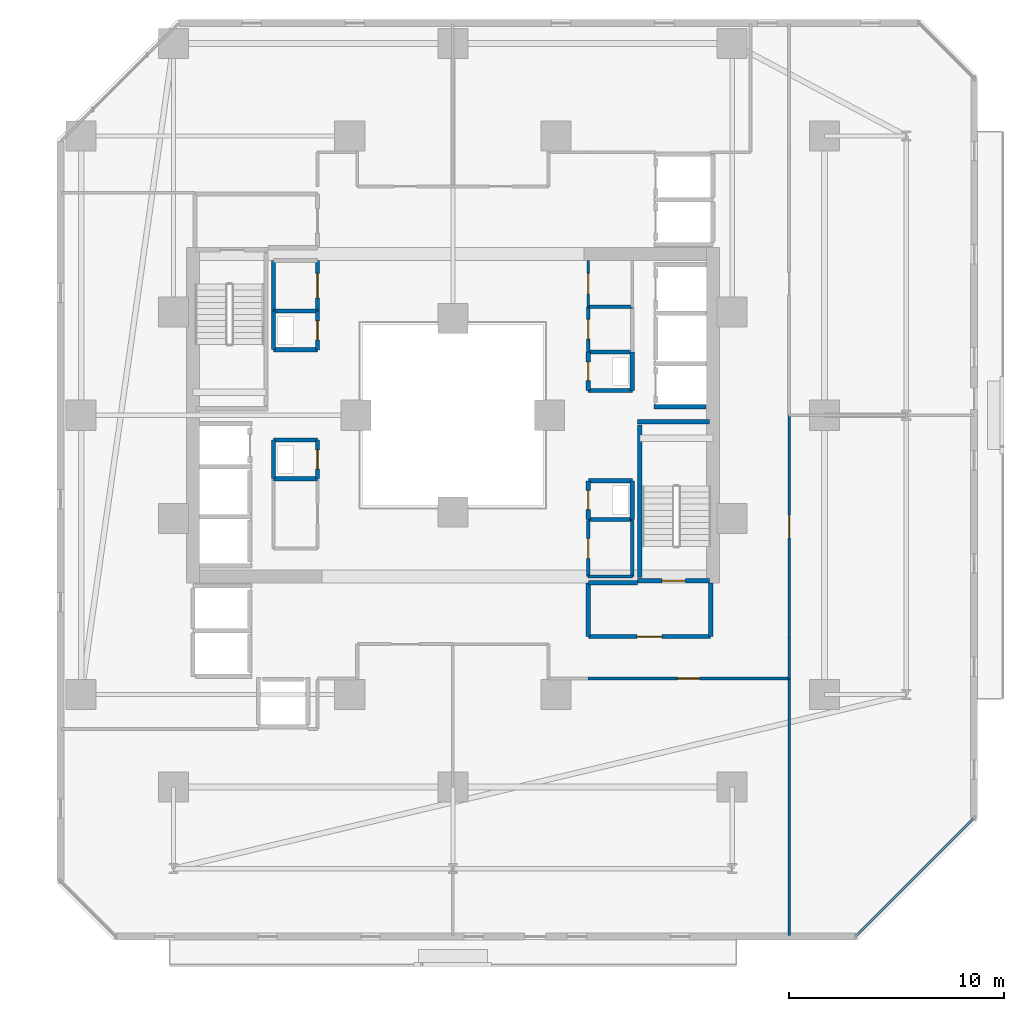
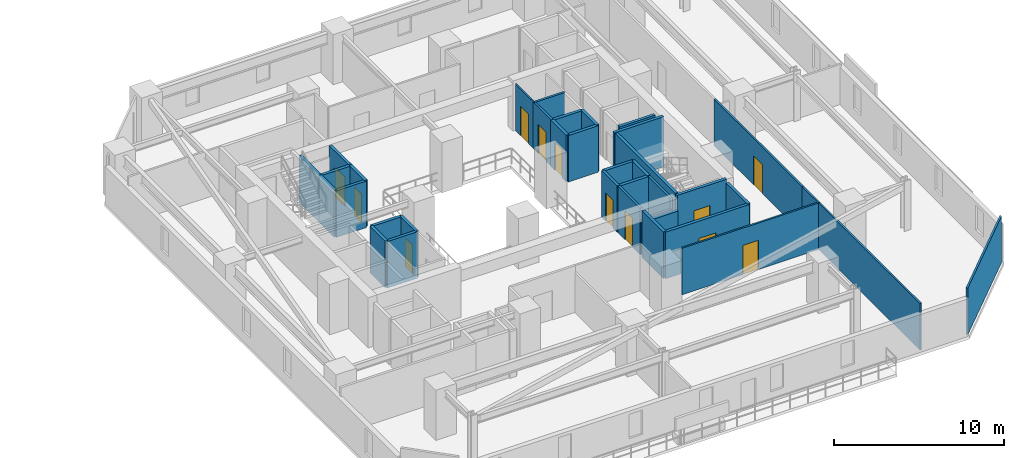
# One storey, part 23 of 33: 37 walls, 12 doors, 12 openings.
"""IFC4 building model written with IfcOpenShell, lengths in metres."""

from ifc_helpers import new_model, si_unit, direction, frame, frame_2d, origin, place, context, subcontext, project, spatial, rectangle, extrude, material, layer, layer_set, type_object, element, fill, save


model = new_model("IFC4")

# Units and contexts
model_context = context("Model", 3, precision=1e-05, world=origin(), true_north=direction((0.0, 1.0)))
body_context = subcontext(model_context, "Body", "Model", "MODEL_VIEW")
ifc_project = project(units=[si_unit("LENGTHUNIT", "METRE"), si_unit("AREAUNIT", "SQUARE_METRE"), si_unit("VOLUMEUNIT", "CUBIC_METRE"), si_unit("PLANEANGLEUNIT", "RADIAN"), si_unit("MASSUNIT", "GRAM", prefix="KILO")], contexts=[model_context])

# Site, building, storey
site_placement = place(None, origin())
site = spatial("IfcSite", under=ifc_project, at=site_placement, CompositionType="ELEMENT")
building_placement = place(site_placement, origin())
building = spatial("IfcBuilding", under=site, at=building_placement, Name="Thornwick Lancets Civic Towers", CompositionType="ELEMENT")
storey_placement = place(building_placement, frame((0.0, 0.0, 35.10009765625)))
storey = spatial("IfcBuildingStorey", under=building, at=storey_placement, Name="L08", CompositionType="ELEMENT", Elevation=35.10009765625)

# Wall
ifc_material_1 = material(Name="Concrete blockwork C40/50", Category="masonry")
ifc_layer_1 = layer(ifc_material_1, 0.199951171875, Name="Concrete blockwork C40/50")
ifc_layer_set_1 = layer_set([ifc_layer_1], Name="Concrete blockwork C40/50")
wall_type_1 = type_object("IfcWallType", Name="WALL_COMP_200", PredefinedType="STANDARD", material=ifc_layer_set_1)
wall_1_placement = place(storey_placement, frame((97.85205078125, 27.39990234375, 0.0), z_axis=(0.0, 0.0, 1.0), x_axis=(1.0, 0.0, 0.0)))
element("IfcWall", 1, at=wall_1_placement, inside=storey, type_object=wall_type_1, Name="L08 Hoistway Shaft Wall FL-B1 S", PredefinedType="STANDARD", context=body_context, shape_type="SweptSolid", body=[
    extrude(rectangle(XDim=2.43603515625, YDim=0.199951171875, at=frame_2d((1.218017578125, 0.0))), origin(), (0.0, 0.0, 1.0), 3.33984375),
])

# Wall, opening, door
wall_2_placement = place(storey_placement, frame((94.800048828125, 16.699951171875, 0.0), z_axis=(0.0, 0.0, 1.0), x_axis=(1.0, 0.0, 0.0)))
wall_2 = element("IfcWall", 2, at=wall_2_placement, inside=storey, type_object=wall_type_1, Name="L08 Partition L08-B-FFLOB1 E1", PredefinedType="STANDARD", context=body_context, shape_type="SweptSolid", body=[
    extrude(rectangle(XDim=5.699951171875, YDim=0.199951171875, at=frame_2d((2.85009765625, 0.0))), origin(), (0.0, 0.0, 1.0), 3.33984375),
])
opening_1_placement = place(wall_2_placement, frame((2.27490234375, 0.0, 0.0)))
opening_1 = element("IfcOpeningElement", 3, at=opening_1_placement, cuts=wall_2, Name="Opening D-L08-0412", PredefinedType="OPENING", context=body_context, shape_type="SweptSolid", body=[
    extrude(rectangle(XDim=1.14990234375, YDim=2.10009765625, at=frame_2d((0.574951171875, 1.050048828125))), frame((0.0, 0.10986328125, 0.0), z_axis=(0.0, -1.0, 0.0), x_axis=(1.0, 0.0, 0.0)), (0.0, 0.0, 1.0), 0.219970703125),
])
ifc_material_2 = material(Name="Glazed fire-resisting steel", Category="steel")
door_type_1 = type_object("IfcDoorType", Name="DOOR_LOBBY_FD60", OperationType="NOTDEFINED", PredefinedType="DOOR", material=ifc_material_2)
door_1_placement = place(opening_1_placement, origin())
door_1 = element("IfcDoor", 4, at=door_1_placement, inside=storey, type_object=door_type_1, Name="L08 East Firefighting Lobby 1 Door", OperationType="SINGLE_SWING_LEFT", OverallHeight=2.10009765625, OverallWidth=1.14990234375, PredefinedType="DOOR", context=body_context, shape_type="SweptSolid", body=[
    extrude(rectangle(XDim=1.14990234375, YDim=2.10009765625, at=frame_2d((0.574951171875, 1.050048828125))), frame((0.0, 0.02490234375, 0.0), z_axis=(0.0, -1.0, 0.0), x_axis=(1.0, 0.0, 0.0)), (0.0, 0.0, 1.0), 0.050048828125),
])
fill(opening_1, door_1)

# Walls
wall_3_placement = place(storey_placement, frame((100.5, 16.699951171875, 0.0), z_axis=(0.0, 0.0, 1.0), x_axis=(0.0, 1.0, 0.0)))
element("IfcWall", 5, at=wall_3_placement, inside=storey, type_object=wall_type_1, Name="L08 Partition L08-B-FFLOB1 E2", PredefinedType="STANDARD", context=body_context, shape_type="SweptSolid", body=[
    extrude(rectangle(XDim=2.5, YDim=0.199951171875, at=frame_2d((1.25, 0.0))), origin(), (0.0, 0.0, 1.0), 3.33984375),
])
wall_4_placement = place(storey_placement, frame((97.10009765625, 19.199951171875, 0.0), z_axis=(0.0, 0.0, 1.0), x_axis=(-1.0, 0.0, 0.0)))
element("IfcWall", 6, at=wall_4_placement, inside=storey, type_object=wall_type_1, Name="L08 Partition L08-B-FFLOB1 E3", PredefinedType="STANDARD", context=body_context, shape_type="SweptSolid", body=[
    extrude(rectangle(XDim=2.300048828125, YDim=0.199951171875, at=frame_2d((1.14990234375, 0.0))), origin(), (0.0, 0.0, 1.0), 2.544921875),
])
wall_5_placement = place(storey_placement, frame((94.800048828125, 19.199951171875, 0.0), z_axis=(0.0, 0.0, 1.0), x_axis=(0.0, -1.0, 0.0)))
element("IfcWall", 7, at=wall_5_placement, inside=storey, type_object=wall_type_1, Name="L08 Partition L08-B-FFLOB1 E4", PredefinedType="STANDARD", context=body_context, shape_type="SweptSolid", body=[
    extrude(rectangle(XDim=2.5, YDim=0.199951171875, at=frame_2d((1.25, 0.0))), origin(), (0.0, 0.0, 1.0), 3.33984375),
])
wall_6_placement = place(storey_placement, frame((94.800048828125, 28.14990234375, 0.0), z_axis=(0.0, 0.0, 1.0), x_axis=(1.0, 0.0, 0.0)))
element("IfcWall", 8, at=wall_6_placement, inside=storey, type_object=wall_type_1, Name="L08 Partition L08-B-DUCT1 E1", PredefinedType="STANDARD", context=body_context, shape_type="SweptSolid", body=[
    extrude(rectangle(XDim=2.050048828125, YDim=0.199951171875, at=frame_2d((1.02490234375, 0.0))), origin(), (0.0, 0.0, 1.0), 3.33984375),
])
wall_7_placement = place(storey_placement, frame((96.85009765625, 28.14990234375, 0.0), z_axis=(0.0, 0.0, 1.0), x_axis=(0.0, 1.0, 0.0)))
element("IfcWall", 9, at=wall_7_placement, inside=storey, type_object=wall_type_1, Name="L08 Partition L08-B-DUCT1 E2", PredefinedType="STANDARD", context=body_context, shape_type="SweptSolid", body=[
    extrude(rectangle(XDim=1.800048828125, YDim=0.199951171875, at=frame_2d((0.89990234375, 0.0))), origin(), (0.0, 0.0, 1.0), 3.33984375),
])
wall_8_placement = place(storey_placement, frame((96.85009765625, 29.949951171875, 0.0), z_axis=(0.0, 0.0, 1.0), x_axis=(-1.0, 0.0, 0.0)))
element("IfcWall", 10, at=wall_8_placement, inside=storey, type_object=wall_type_1, Name="L08 Partition L08-B-DUCT1 E3", PredefinedType="STANDARD", context=body_context, shape_type="SweptSolid", body=[
    extrude(rectangle(XDim=2.050048828125, YDim=0.199951171875, at=frame_2d((1.02490234375, 0.0))), origin(), (0.0, 0.0, 1.0), 3.33984375),
])

# Wall, opening, door
wall_9_placement = place(storey_placement, frame((94.800048828125, 29.949951171875, 0.0), z_axis=(0.0, 0.0, 1.0), x_axis=(0.0, -1.0, 0.0)))
wall_9 = element("IfcWall", 11, at=wall_9_placement, inside=storey, type_object=wall_type_1, Name="L08 Partition L08-B-DUCT1 E4", PredefinedType="STANDARD", context=body_context, shape_type="SweptSolid", body=[
    extrude(rectangle(XDim=1.800048828125, YDim=0.199951171875, at=frame_2d((0.89990234375, 0.0))), origin(), (0.0, 0.0, 1.0), 3.33984375),
])
opening_2_placement = place(wall_9_placement, frame((0.4599609375, 0.0, 0.0)))
opening_2 = element("IfcOpeningElement", 12, at=opening_2_placement, cuts=wall_9, Name="Opening D-L08-0414", PredefinedType="OPENING", context=body_context, shape_type="SweptSolid", body=[
    extrude(rectangle(XDim=0.8798828125, YDim=2.0400390625, at=frame_2d((0.43994140625, 1.02001953125))), frame((0.0, 0.10986328125, 0.0), z_axis=(0.0, -1.0, 0.0), x_axis=(1.0, 0.0, 0.0)), (0.0, 0.0, 1.0), 0.219970703125),
])
ifc_material_3 = material(Name="Steel riser access doorset", Category="steel")
door_type_2 = type_object("IfcDoorType", Name="DOOR_RISER_850", OperationType="NOTDEFINED", PredefinedType="DOOR", material=ifc_material_3)
door_2_placement = place(opening_2_placement, origin())
door_2 = element("IfcDoor", 13, at=door_2_placement, inside=storey, type_object=door_type_2, Name="L08 East Service Duct 1 Door", OperationType="SINGLE_SWING_LEFT", OverallHeight=2.0400390625, OverallWidth=0.8798828125, PredefinedType="DOOR", context=body_context, shape_type="SweptSolid", body=[
    extrude(rectangle(XDim=0.8798828125, YDim=2.0400390625, at=frame_2d((0.43994140625, 1.02001953125))), frame((0.0, 0.02490234375, 0.0), z_axis=(0.0, -1.0, 0.0), x_axis=(1.0, 0.0, 0.0)), (0.0, 0.0, 1.0), 0.050048828125),
])
fill(opening_2, door_2)

# Walls
wall_10_placement = place(storey_placement, frame((94.800048828125, 22.14990234375, 0.0), z_axis=(0.0, 0.0, 1.0), x_axis=(1.0, 0.0, 0.0)))
element("IfcWall", 14, at=wall_10_placement, inside=storey, type_object=wall_type_1, Name="L08 Partition L08-B-RISER1 E1", PredefinedType="STANDARD", context=body_context, shape_type="SweptSolid", body=[
    extrude(rectangle(XDim=2.050048828125, YDim=0.199951171875, at=frame_2d((1.02490234375, 0.0))), origin(), (0.0, 0.0, 1.0), 3.33984375),
])
wall_11_placement = place(storey_placement, frame((96.85009765625, 22.14990234375, 0.0), z_axis=(0.0, 0.0, 1.0), x_axis=(0.0, 1.0, 0.0)))
element("IfcWall", 15, at=wall_11_placement, inside=storey, type_object=wall_type_1, Name="L08 Partition L08-B-RISER1 E2", PredefinedType="STANDARD", context=body_context, shape_type="SweptSolid", body=[
    extrude(rectangle(XDim=1.800048828125, YDim=0.199951171875, at=frame_2d((0.89990234375, 0.0))), origin(), (0.0, 0.0, 1.0), 3.33984375),
])
wall_12_placement = place(storey_placement, frame((96.85009765625, 23.949951171875, 0.0), z_axis=(0.0, 0.0, 1.0), x_axis=(-1.0, 0.0, 0.0)))
element("IfcWall", 16, at=wall_12_placement, inside=storey, type_object=wall_type_1, Name="L08 Partition L08-B-RISER1 E3", PredefinedType="STANDARD", context=body_context, shape_type="SweptSolid", body=[
    extrude(rectangle(XDim=2.050048828125, YDim=0.199951171875, at=frame_2d((1.02490234375, 0.0))), origin(), (0.0, 0.0, 1.0), 3.33984375),
])

# Wall, opening, door
wall_13_placement = place(storey_placement, frame((94.800048828125, 23.949951171875, 0.0), z_axis=(0.0, 0.0, 1.0), x_axis=(0.0, -1.0, 0.0)))
wall_13 = element("IfcWall", 17, at=wall_13_placement, inside=storey, type_object=wall_type_1, Name="L08 Partition L08-B-RISER1 E4", PredefinedType="STANDARD", context=body_context, shape_type="SweptSolid", body=[
    extrude(rectangle(XDim=1.800048828125, YDim=0.199951171875, at=frame_2d((0.89990234375, 0.0))), origin(), (0.0, 0.0, 1.0), 3.33984375),
])
opening_3_placement = place(wall_13_placement, frame((0.4599609375, 0.0, 0.0)))
opening_3 = element("IfcOpeningElement", 18, at=opening_3_placement, cuts=wall_13, Name="Opening D-L08-0415", PredefinedType="OPENING", context=body_context, shape_type="SweptSolid", body=[
    extrude(rectangle(XDim=0.8798828125, YDim=2.0400390625, at=frame_2d((0.43994140625, 1.02001953125))), frame((0.0, 0.10986328125, 0.0), z_axis=(0.0, -1.0, 0.0), x_axis=(1.0, 0.0, 0.0)), (0.0, 0.0, 1.0), 0.219970703125),
])
door_3_placement = place(opening_3_placement, origin())
door_3 = element("IfcDoor", 19, at=door_3_placement, inside=storey, type_object=door_type_2, Name="L08 East Electrical Riser 1 Door", OperationType="SINGLE_SWING_RIGHT", OverallHeight=2.0400390625, OverallWidth=0.8798828125, PredefinedType="DOOR", context=body_context, shape_type="SweptSolid", body=[
    extrude(rectangle(XDim=0.8798828125, YDim=2.0400390625, at=frame_2d((0.43994140625, 1.02001953125))), frame((0.0, 0.02490234375, 0.0), z_axis=(0.0, -1.0, 0.0), x_axis=(1.0, 0.0, 0.0)), (0.0, 0.0, 1.0), 0.050048828125),
])
fill(opening_3, door_3)

# Wall
wall_14_placement = place(storey_placement, frame((80.14990234375, 24.050048828125, 0.0), z_axis=(0.0, 0.0, 1.0), x_axis=(1.0, 0.0, 0.0)))
element("IfcWall", 20, at=wall_14_placement, inside=storey, type_object=wall_type_1, Name="L08 Partition L08-B-DUCT2 E1", PredefinedType="STANDARD", context=body_context, shape_type="SweptSolid", body=[
    extrude(rectangle(XDim=2.050048828125, YDim=0.199951171875, at=frame_2d((1.02490234375, 0.0))), origin(), (0.0, 0.0, 1.0), 3.33984375),
])

# Wall, opening, door
wall_15_placement = place(storey_placement, frame((82.199951171875, 24.050048828125, 0.0), z_axis=(0.0, 0.0, 1.0), x_axis=(0.0, 1.0, 0.0)))
wall_15 = element("IfcWall", 21, at=wall_15_placement, inside=storey, type_object=wall_type_1, Name="L08 Partition L08-B-DUCT2 E2", PredefinedType="STANDARD", context=body_context, shape_type="SweptSolid", body=[
    extrude(rectangle(XDim=1.800048828125, YDim=0.199951171875, at=frame_2d((0.89990234375, 0.0))), origin(), (0.0, 0.0, 1.0), 3.33984375),
])
opening_4_placement = place(wall_15_placement, frame((0.4599609375, 0.0, 0.0)))
opening_4 = element("IfcOpeningElement", 22, at=opening_4_placement, cuts=wall_15, Name="Opening D-L08-0416", PredefinedType="OPENING", context=body_context, shape_type="SweptSolid", body=[
    extrude(rectangle(XDim=0.8798828125, YDim=2.0400390625, at=frame_2d((0.43994140625, 1.02001953125))), frame((0.0, 0.10986328125, 0.0), z_axis=(0.0, -1.0, 0.0), x_axis=(1.0, 0.0, 0.0)), (0.0, 0.0, 1.0), 0.219970703125),
])
door_4_placement = place(opening_4_placement, origin())
door_4 = element("IfcDoor", 23, at=door_4_placement, inside=storey, type_object=door_type_2, Name="L08 West Service Duct 2 Door", OperationType="SINGLE_SWING_LEFT", OverallHeight=2.0400390625, OverallWidth=0.8798828125, PredefinedType="DOOR", context=body_context, shape_type="SweptSolid", body=[
    extrude(rectangle(XDim=0.8798828125, YDim=2.0400390625, at=frame_2d((0.43994140625, 1.02001953125))), frame((0.0, 0.02490234375, 0.0), z_axis=(0.0, -1.0, 0.0), x_axis=(1.0, 0.0, 0.0)), (0.0, 0.0, 1.0), 0.050048828125),
])
fill(opening_4, door_4)

# Walls
wall_16_placement = place(storey_placement, frame((82.199951171875, 25.85009765625, 0.0), z_axis=(0.0, 0.0, 1.0), x_axis=(-1.0, 0.0, 0.0)))
element("IfcWall", 24, at=wall_16_placement, inside=storey, type_object=wall_type_1, Name="L08 Partition L08-B-DUCT2 E3", PredefinedType="STANDARD", context=body_context, shape_type="SweptSolid", body=[
    extrude(rectangle(XDim=2.050048828125, YDim=0.199951171875, at=frame_2d((1.02490234375, 0.0))), origin(), (0.0, 0.0, 1.0), 3.33984375),
])
wall_17_placement = place(storey_placement, frame((80.14990234375, 25.85009765625, 0.0), z_axis=(0.0, 0.0, 1.0), x_axis=(0.0, -1.0, 0.0)))
element("IfcWall", 25, at=wall_17_placement, inside=storey, type_object=wall_type_1, Name="L08 Partition L08-B-DUCT2 E4", PredefinedType="STANDARD", context=body_context, shape_type="SweptSolid", body=[
    extrude(rectangle(XDim=1.800048828125, YDim=0.199951171875, at=frame_2d((0.89990234375, 0.0))), origin(), (0.0, 0.0, 1.0), 3.33984375),
])
wall_18_placement = place(storey_placement, frame((80.14990234375, 30.050048828125, 0.0), z_axis=(0.0, 0.0, 1.0), x_axis=(1.0, 0.0, 0.0)))
element("IfcWall", 26, at=wall_18_placement, inside=storey, type_object=wall_type_1, Name="L08 Partition L08-B-RISER2 E1", PredefinedType="STANDARD", context=body_context, shape_type="SweptSolid", body=[
    extrude(rectangle(XDim=2.050048828125, YDim=0.199951171875, at=frame_2d((1.02490234375, 0.0))), origin(), (0.0, 0.0, 1.0), 3.33984375),
])

# Wall, opening, door
wall_19_placement = place(storey_placement, frame((82.199951171875, 30.050048828125, 0.0), z_axis=(0.0, 0.0, 1.0), x_axis=(0.0, 1.0, 0.0)))
wall_19 = element("IfcWall", 27, at=wall_19_placement, inside=storey, type_object=wall_type_1, Name="L08 Partition L08-B-RISER2 E2", PredefinedType="STANDARD", context=body_context, shape_type="SweptSolid", body=[
    extrude(rectangle(XDim=1.800048828125, YDim=0.199951171875, at=frame_2d((0.89990234375, 0.0))), origin(), (0.0, 0.0, 1.0), 3.33984375),
])
opening_5_placement = place(wall_19_placement, frame((0.4599609375, 0.0, 0.0)))
opening_5 = element("IfcOpeningElement", 28, at=opening_5_placement, cuts=wall_19, Name="Opening D-L08-0417", PredefinedType="OPENING", context=body_context, shape_type="SweptSolid", body=[
    extrude(rectangle(XDim=0.8798828125, YDim=2.0400390625, at=frame_2d((0.43994140625, 1.02001953125))), frame((0.0, 0.10986328125, 0.0), z_axis=(0.0, -1.0, 0.0), x_axis=(1.0, 0.0, 0.0)), (0.0, 0.0, 1.0), 0.219970703125),
])
door_5_placement = place(opening_5_placement, origin())
door_5 = element("IfcDoor", 29, at=door_5_placement, inside=storey, type_object=door_type_2, Name="L08 West Service Riser 2 Door", OperationType="SINGLE_SWING_RIGHT", OverallHeight=2.0400390625, OverallWidth=0.8798828125, PredefinedType="DOOR", context=body_context, shape_type="SweptSolid", body=[
    extrude(rectangle(XDim=0.8798828125, YDim=2.0400390625, at=frame_2d((0.43994140625, 1.02001953125))), frame((0.0, 0.02490234375, 0.0), z_axis=(0.0, -1.0, 0.0), x_axis=(1.0, 0.0, 0.0)), (0.0, 0.0, 1.0), 0.050048828125),
])
fill(opening_5, door_5)

# Walls
wall_20_placement = place(storey_placement, frame((82.199951171875, 31.85009765625, 0.0), z_axis=(0.0, 0.0, 1.0), x_axis=(-1.0, 0.0, 0.0)))
element("IfcWall", 30, at=wall_20_placement, inside=storey, type_object=wall_type_1, Name="L08 Partition L08-B-RISER2 E3", PredefinedType="STANDARD", context=body_context, shape_type="SweptSolid", body=[
    extrude(rectangle(XDim=2.050048828125, YDim=0.199951171875, at=frame_2d((1.02490234375, 0.0))), origin(), (0.0, 0.0, 1.0), 3.33984375),
])
wall_21_placement = place(storey_placement, frame((80.14990234375, 31.85009765625, 0.0), z_axis=(0.0, 0.0, 1.0), x_axis=(0.0, -1.0, 0.0)))
element("IfcWall", 31, at=wall_21_placement, inside=storey, type_object=wall_type_1, Name="L08 Partition L08-B-RISER2 E4", PredefinedType="STANDARD", context=body_context, shape_type="SweptSolid", body=[
    extrude(rectangle(XDim=1.800048828125, YDim=0.199951171875, at=frame_2d((0.89990234375, 0.0))), origin(), (0.0, 0.0, 1.0), 3.33984375),
])
wall_22_placement = place(storey_placement, frame((80.14990234375, 31.85009765625, 0.0), z_axis=(0.0, 0.0, 1.0), x_axis=(0.0, 1.0, 0.0)))
element("IfcWall", 32, at=wall_22_placement, inside=storey, type_object=wall_type_1, Name="L08 Partition L08-B-STR E1", PredefinedType="STANDARD", context=body_context, shape_type="SweptSolid", body=[
    extrude(rectangle(XDim=2.349853515625, YDim=0.199951171875, at=frame_2d((1.1748046875, 0.0))), origin(), (0.0, 0.0, 1.0), 3.33984375),
])

# Wall, opening, door
wall_23_placement = place(storey_placement, frame((82.199951171875, 34.199951171875, 0.0), z_axis=(0.0, 0.0, 1.0), x_axis=(0.0, -1.0, 0.0)))
wall_23 = element("IfcWall", 33, at=wall_23_placement, inside=storey, type_object=wall_type_1, Name="L08 Partition L08-B-STR E3", PredefinedType="STANDARD", context=body_context, shape_type="SweptSolid", body=[
    extrude(rectangle(XDim=2.349853515625, YDim=0.199951171875, at=frame_2d((1.1748046875, 0.0))), origin(), (0.0, 0.0, 1.0), 3.33984375),
])
opening_6_placement = place(wall_23_placement, frame((0.60009765625, 0.0, 0.0)))
opening_6 = element("IfcOpeningElement", 34, at=opening_6_placement, cuts=wall_23, Name="Opening D-L08-0422", PredefinedType="OPENING", context=body_context, shape_type="SweptSolid", body=[
    extrude(rectangle(XDim=1.14990234375, YDim=2.10009765625, at=frame_2d((0.574951171875, 1.050048828125))), frame((0.0, 0.10986328125, 0.0), z_axis=(0.0, -1.0, 0.0), x_axis=(1.0, 0.0, 0.0)), (0.0, 0.0, 1.0), 0.219970703125),
])
door_6_placement = place(opening_6_placement, origin())
door_6 = element("IfcDoor", 35, at=door_6_placement, inside=storey, type_object=door_type_1, Name="L08 Tower B Core Equipment Store Door", OperationType="SINGLE_SWING_LEFT", OverallHeight=2.10009765625, OverallWidth=1.14990234375, PredefinedType="DOOR", context=body_context, shape_type="SweptSolid", body=[
    extrude(rectangle(XDim=1.14990234375, YDim=2.10009765625, at=frame_2d((0.574951171875, 1.050048828125))), frame((0.0, 0.02490234375, 0.0), z_axis=(0.0, -1.0, 0.0), x_axis=(1.0, 0.0, 0.0)), (0.0, 0.0, 1.0), 0.050048828125),
])
fill(opening_6, door_6)

ifc_material_4 = material(Name="Lightweight cellular office partition")
ifc_layer_2 = layer(ifc_material_4, 0.10009765625, Name="Lightweight cellular office partition")
ifc_layer_set_2 = layer_set([ifc_layer_2], Name="Lightweight cellular office partition")
wall_type_2 = type_object("IfcWallType", Name="WALL_PART_100", PredefinedType="PARTITIONING", material=ifc_layer_set_2)
wall_24_placement = place(storey_placement, frame((94.800048828125, 32.050048828125, 0.0), z_axis=(0.0, 0.0, 1.0), x_axis=(0.0, 1.0, 0.0)))
wall_24 = element("IfcWall", 36, at=wall_24_placement, inside=storey, type_object=wall_type_2, Name="L08 Partition L08-B-CLN E1", PredefinedType="PARTITIONING", context=body_context, shape_type="SweptSolid", body=[
    extrude(rectangle(XDim=2.14990234375, YDim=0.10009765625, at=frame_2d((1.074951171875, 0.0))), origin(), (0.0, 0.0, 1.0), 3.33984375),
])
opening_7_placement = place(wall_24_placement, frame((0.60009765625, 0.0, 0.0)))
opening_7 = element("IfcOpeningElement", 37, at=opening_7_placement, cuts=wall_24, Name="Opening D-L08-0420", PredefinedType="OPENING", context=body_context, shape_type="SweptSolid", body=[
    extrude(rectangle(XDim=0.949951171875, YDim=2.10009765625, at=frame_2d((0.47509765625, 1.050048828125))), frame((0.0, 0.06005859375, 0.0), z_axis=(0.0, -1.0, 0.0), x_axis=(1.0, 0.0, 0.0)), (0.0, 0.0, 1.0), 0.1201171875),
])
ifc_material_5 = material(Name="European oak acoustic doorset")
door_type_3 = type_object("IfcDoorType", Name="DOOR_OFFICE_950", OperationType="NOTDEFINED", PredefinedType="DOOR", material=ifc_material_5)
door_7_placement = place(opening_7_placement, origin())
door_7 = element("IfcDoor", 38, at=door_7_placement, inside=storey, type_object=door_type_3, Name="L08 Tower B Cleaners Store Door", OperationType="SINGLE_SWING_LEFT", OverallHeight=2.10009765625, OverallWidth=0.949951171875, PredefinedType="DOOR", context=body_context, shape_type="SweptSolid", body=[
    extrude(rectangle(XDim=0.949951171875, YDim=2.10009765625, at=frame_2d((0.47509765625, 1.050048828125))), frame((0.0, 0.02490234375, 0.0), z_axis=(0.0, -1.0, 0.0), x_axis=(1.0, 0.0, 0.0)), (0.0, 0.0, 1.0), 0.050048828125),
])
fill(opening_7, door_7)

ifc_material_6 = material(Name="Acoustic gypsum board partition")
ifc_layer_3 = layer(ifc_material_6, 0.1201171875, Name="Acoustic gypsum board partition")
ifc_layer_set_3 = layer_set([ifc_layer_3], Name="Acoustic gypsum board partition")
wall_type_3 = type_object("IfcWallType", Name="WALL_PART_120", PredefinedType="PARTITIONING", material=ifc_layer_set_3)
wall_25_placement = place(storey_placement, frame((94.800048828125, 14.75, 0.0), z_axis=(0.0, 0.0, 1.0), x_axis=(1.0, 0.0, 0.0)))
wall_25 = element("IfcWall", 39, at=wall_25_placement, inside=storey, type_object=wall_type_3, Name="L08 Partition L08-B-W1 E3", PredefinedType="PARTITIONING", context=body_context, shape_type="SweptSolid", body=[
    extrude(rectangle(XDim=9.349853515625, YDim=0.1201171875, at=frame_2d((4.6748046875, 0.0))), origin(), (0.0, 0.0, 1.0), 3.33984375),
])
opening_8_placement = place(wall_25_placement, frame((4.14990234375, 0.0, 0.0)))
opening_8 = element("IfcOpeningElement", 40, at=opening_8_placement, cuts=wall_25, Name="Opening D-L08-0429", PredefinedType="OPENING", context=body_context, shape_type="SweptSolid", body=[
    extrude(rectangle(XDim=1.050048828125, YDim=2.10009765625, at=frame_2d((0.52490234375, 1.050048828125))), frame((0.0, 0.070068359375, 0.0), z_axis=(0.0, -1.0, 0.0), x_axis=(1.0, 0.0, 0.0)), (0.0, 0.0, 1.0), 0.14013671875),
])
ifc_material_7 = material(Name="Glazed European oak executive doorset")
door_type_4 = type_object("IfcDoorType", Name="DOOR_OFFICE_1050", OperationType="NOTDEFINED", PredefinedType="DOOR", material=ifc_material_7)
door_8_placement = place(opening_8_placement, origin())
door_8 = element("IfcDoor", 41, at=door_8_placement, inside=storey, type_object=door_type_4, Name="L08 Tower B Ministry Directorate Office W1 Door", OperationType="SINGLE_SWING_RIGHT", OverallHeight=2.10009765625, OverallWidth=1.050048828125, PredefinedType="DOOR", context=body_context, shape_type="SweptSolid", body=[
    extrude(rectangle(XDim=1.050048828125, YDim=2.10009765625, at=frame_2d((0.52490234375, 1.050048828125))), frame((0.0, 0.02490234375, 0.0), z_axis=(0.0, -1.0, 0.0), x_axis=(1.0, 0.0, 0.0)), (0.0, 0.0, 1.0), 0.050048828125),
])
fill(opening_8, door_8)

# Walls
wall_26_placement = place(storey_placement, frame((104.14990234375, 14.75, 0.0), z_axis=(0.0, 0.0, 1.0), x_axis=(0.0, -1.0, 0.0)))
element("IfcWall", 42, at=wall_26_placement, inside=storey, type_object=wall_type_3, Name="L08 Partition L08-B-W1 E4", PredefinedType="PARTITIONING", context=body_context, shape_type="SweptSolid", body=[
    extrude(rectangle(XDim=11.969970703125, YDim=0.1201171875, at=frame_2d((5.98486328125, 0.0))), origin(), (0.0, 0.0, 1.0), 3.33984375),
])
wall_27_placement = place(storey_placement, frame((104.14990234375, 14.75, 0.0), z_axis=(0.0, 0.0, 1.0), x_axis=(0.0, 1.0, 0.0)))
element("IfcWall", 43, at=wall_27_placement, inside=storey, type_object=wall_type_3, Name="L08 Partition L08-B-S-OFF E3", PredefinedType="PARTITIONING", context=body_context, shape_type="SweptSolid", body=[
    extrude(rectangle(XDim=1.89990234375, YDim=0.1201171875, at=frame_2d((0.949951171875, 0.0))), origin(), (0.0, 0.0, 1.0), 3.33984375),
])

# Wall, opening, door
wall_28_placement = place(storey_placement, frame((104.14990234375, 16.64990234375, 0.0), z_axis=(0.0, 0.0, 1.0), x_axis=(0.0, 1.0, 0.0)))
wall_28 = element("IfcWall", 44, at=wall_28_placement, inside=storey, type_object=wall_type_3, Name="L08 Partition L08-B-S-OFF E4", PredefinedType="PARTITIONING", context=body_context, shape_type="SweptSolid", body=[
    extrude(rectangle(XDim=10.35009765625, YDim=0.1201171875, at=frame_2d((5.175048828125, 0.0))), origin(), (0.0, 0.0, 1.0), 3.33984375),
])
opening_9_placement = place(wall_28_placement, frame((4.64990234375, 0.0, 0.0)))
opening_9 = element("IfcOpeningElement", 45, at=opening_9_placement, cuts=wall_28, Name="Opening D-L08-0433", PredefinedType="OPENING", context=body_context, shape_type="SweptSolid", body=[
    extrude(rectangle(XDim=1.050048828125, YDim=2.10009765625, at=frame_2d((0.52490234375, 1.050048828125))), frame((0.0, 0.070068359375, 0.0), z_axis=(0.0, -1.0, 0.0), x_axis=(1.0, 0.0, 0.0)), (0.0, 0.0, 1.0), 0.14013671875),
])
door_9_placement = place(opening_9_placement, origin())
door_9 = element("IfcDoor", 46, at=door_9_placement, inside=storey, type_object=door_type_4, Name="L08 Tower B South Division Office Door", OperationType="SINGLE_SWING_RIGHT", OverallHeight=2.10009765625, OverallWidth=1.050048828125, PredefinedType="DOOR", context=body_context, shape_type="SweptSolid", body=[
    extrude(rectangle(XDim=1.050048828125, YDim=2.10009765625, at=frame_2d((0.52490234375, 1.050048828125))), frame((0.0, 0.02490234375, 0.0), z_axis=(0.0, -1.0, 0.0), x_axis=(1.0, 0.0, 0.0)), (0.0, 0.0, 1.0), 0.050048828125),
])
fill(opening_9, door_9)

# Walls
wall_29_placement = place(storey_placement, frame((112.719970703125, 8.219482421875, 0.0), z_axis=(0.0, 0.0, 1.0), x_axis=(-0.707106781187, -0.707106781187, 0.0)))
element("IfcWall", 47, at=wall_29_placement, inside=storey, type_object=wall_type_3, Name="L08 Partition L08-B-S-OFF E7", PredefinedType="PARTITIONING", context=body_context, shape_type="SweptSolid", body=[
    extrude(rectangle(XDim=7.692626953125, YDim=0.1201171875, at=frame_2d((3.84619140625, 0.0))), origin(), (0.0, 0.0, 1.0), 3.33984375),
])
ifc_material_8 = material(Name="Twin-stud acoustic gypsum board")
ifc_layer_4 = layer(ifc_material_8, 0.14990234375, Name="Twin-stud acoustic gypsum board")
ifc_layer_set_4 = layer_set([ifc_layer_4], Name="Twin-stud acoustic gypsum board")
wall_type_4 = type_object("IfcWallType", Name="WALL_PART_150", PredefinedType="PARTITIONING", material=ifc_layer_set_4)
wall_30_placement = place(storey_placement, frame((94.800048828125, 19.5, 0.0), z_axis=(0.0, 0.0, 1.0), x_axis=(1.0, 0.0, 0.0)))
element("IfcWall", 48, at=wall_30_placement, inside=storey, type_object=wall_type_4, Name="L08 Partition L08-B-AWC E1", PredefinedType="PARTITIONING", context=body_context, shape_type="SweptSolid", body=[
    extrude(rectangle(XDim=2.050048828125, YDim=0.14990234375, at=frame_2d((1.02490234375, 0.0))), origin(), (0.0, 0.0, 1.0), 2.544921875),
])
wall_31_placement = place(storey_placement, frame((96.85009765625, 19.5, 0.0), z_axis=(0.0, 0.0, 1.0), x_axis=(0.0, 1.0, 0.0)))
element("IfcWall", 49, at=wall_31_placement, inside=storey, type_object=wall_type_4, Name="L08 Partition L08-B-AWC E2", PredefinedType="PARTITIONING", context=body_context, shape_type="SweptSolid", body=[
    extrude(rectangle(XDim=2.60009765625, YDim=0.14990234375, at=frame_2d((1.300048828125, 0.0))), origin(), (0.0, 0.0, 1.0), 3.33984375),
])

# Wall, opening, door
wall_32_placement = place(storey_placement, frame((94.800048828125, 22.10009765625, 0.0), z_axis=(0.0, 0.0, 1.0), x_axis=(0.0, -1.0, 0.0)))
wall_32 = element("IfcWall", 50, at=wall_32_placement, inside=storey, type_object=wall_type_4, Name="L08 Partition L08-B-AWC E4", PredefinedType="PARTITIONING", context=body_context, shape_type="SweptSolid", body=[
    extrude(rectangle(XDim=2.60009765625, YDim=0.14990234375, at=frame_2d((1.300048828125, 0.0))), origin(), (0.0, 0.0, 1.0), 3.33984375),
])
opening_10_placement = place(wall_32_placement, frame((0.840087890625, 0.0, 0.0)))
opening_10 = element("IfcOpeningElement", 51, at=opening_10_placement, cuts=wall_32, Name="Opening D-L08-0418", PredefinedType="OPENING", context=body_context, shape_type="SweptSolid", body=[
    extrude(rectangle(XDim=0.919921875, YDim=2.080078125, at=frame_2d((0.4599609375, 1.0400390625))), frame((0.0, 0.0849609375, 0.0), z_axis=(0.0, -1.0, 0.0), x_axis=(1.0, 0.0, 0.0)), (0.0, 0.0, 1.0), 0.169921875),
])
ifc_material_9 = material(Name="Moisture-resistant oak doorset")
door_type_5 = type_object("IfcDoorType", Name="DOOR_WC_900", OperationType="NOTDEFINED", PredefinedType="DOOR", material=ifc_material_9)
door_10_placement = place(opening_10_placement, origin())
door_10 = element("IfcDoor", 52, at=door_10_placement, inside=storey, type_object=door_type_5, Name="L08 Tower B Accessible WC Door", OperationType="SINGLE_SWING_LEFT", OverallHeight=2.080078125, OverallWidth=0.919921875, PredefinedType="DOOR", context=body_context, shape_type="SweptSolid", body=[
    extrude(rectangle(XDim=0.919921875, YDim=2.080078125, at=frame_2d((0.4599609375, 1.0400390625))), frame((0.0, 0.02490234375, 0.0), z_axis=(0.0, -1.0, 0.0), x_axis=(1.0, 0.0, 0.0)), (0.0, 0.0, 1.0), 0.050048828125),
])
fill(opening_10, door_10)

wall_33_placement = place(storey_placement, frame((94.800048828125, 29.949951171875, 0.0), z_axis=(0.0, 0.0, 1.0), x_axis=(0.0, 1.0, 0.0)))
wall_33 = element("IfcWall", 53, at=wall_33_placement, inside=storey, type_object=wall_type_4, Name="L08 Partition L08-B-MWC E1", PredefinedType="PARTITIONING", context=body_context, shape_type="SweptSolid", body=[
    extrude(rectangle(XDim=2.10009765625, YDim=0.14990234375, at=frame_2d((1.050048828125, 0.0))), origin(), (0.0, 0.0, 1.0), 3.33984375),
])
opening_11_placement = place(wall_33_placement, frame((0.590087890625, 0.0, 0.0)))
opening_11 = element("IfcOpeningElement", 54, at=opening_11_placement, cuts=wall_33, Name="Opening D-L08-0419", PredefinedType="OPENING", context=body_context, shape_type="SweptSolid", body=[
    extrude(rectangle(XDim=0.919921875, YDim=2.080078125, at=frame_2d((0.4599609375, 1.0400390625))), frame((0.0, 0.0849609375, 0.0), z_axis=(0.0, -1.0, 0.0), x_axis=(1.0, 0.0, 0.0)), (0.0, 0.0, 1.0), 0.169921875),
])
door_11_placement = place(opening_11_placement, origin())
door_11 = element("IfcDoor", 55, at=door_11_placement, inside=storey, type_object=door_type_5, Name="L08 Tower B Male WC Door", OperationType="SINGLE_SWING_RIGHT", OverallHeight=2.080078125, OverallWidth=0.919921875, PredefinedType="DOOR", context=body_context, shape_type="SweptSolid", body=[
    extrude(rectangle(XDim=0.919921875, YDim=2.080078125, at=frame_2d((0.4599609375, 1.0400390625))), frame((0.0, 0.02490234375, 0.0), z_axis=(0.0, -1.0, 0.0), x_axis=(1.0, 0.0, 0.0)), (0.0, 0.0, 1.0), 0.050048828125),
])
fill(opening_11, door_11)

# Wall
wall_34_placement = place(storey_placement, frame((94.800048828125, 32.050048828125, 0.0), z_axis=(0.0, 0.0, 1.0), x_axis=(1.0, 0.0, 0.0)))
element("IfcWall", 56, at=wall_34_placement, inside=storey, type_object=wall_type_4, Name="L08 Partition L08-B-MWC E2", PredefinedType="PARTITIONING", context=body_context, shape_type="SweptSolid", body=[
    extrude(rectangle(XDim=2.050048828125, YDim=0.14990234375, at=frame_2d((1.02490234375, 0.0))), origin(), (0.0, 0.0, 1.0), 3.33984375),
])

# Wall, opening, door
ifc_material_10 = material(Name="Concrete C40/50", Category="concrete")
ifc_layer_5 = layer(ifc_material_10, 0.199951171875, Name="Concrete C40/50")
ifc_layer_set_5 = layer_set([ifc_layer_5], Name="Concrete C40/50")
wall_type_5 = type_object("IfcWallType", Name="WALL_SHAFT_200", PredefinedType="SHEAR", material=ifc_layer_set_5)
wall_35_placement = place(storey_placement, frame((100.449951171875, 19.300048828125, 0.0), z_axis=(0.0, 0.0, 1.0), x_axis=(-1.0, 0.0, 0.0)))
wall_35 = element("IfcWall", 57, at=wall_35_placement, inside=storey, type_object=wall_type_5, Name="L08 ST-B1 Fire Stair Core Wall NEAR", PredefinedType="SHEAR", context=body_context, shape_type="SweptSolid", body=[
    extrude(rectangle(XDim=3.349853515625, YDim=0.199951171875, at=frame_2d((1.6748046875, 0.0))), origin(), (0.0, 0.0, 1.0), 3.599853515625),
])
opening_12_placement = place(wall_35_placement, frame((1.125, 0.0, 0.0)))
opening_12 = element("IfcOpeningElement", 58, at=opening_12_placement, cuts=wall_35, Name="Opening D-ST-B1-L08", PredefinedType="OPENING", context=body_context, shape_type="SweptSolid", body=[
    extrude(rectangle(XDim=1.10009765625, YDim=2.10009765625, at=frame_2d((0.550048828125, 1.050048828125))), frame((0.0, 0.10986328125, 0.0), z_axis=(0.0, -1.0, 0.0), x_axis=(1.0, 0.0, 0.0)), (0.0, 0.0, 1.0), 0.219970703125),
])
ifc_material_11 = material(Name="Fire-resisting steel and hardwood", Category="steel")
door_type_6 = type_object("IfcDoorType", Name="DOOR_STAIR_FD60", OperationType="NOTDEFINED", PredefinedType="DOOR", material=ifc_material_11)
door_12_placement = place(opening_12_placement, origin())
door_12 = element("IfcDoor", 59, at=door_12_placement, inside=storey, type_object=door_type_6, Name="L08 ST-B1 Exit Stair Door", OperationType="SINGLE_SWING_RIGHT", OverallHeight=2.10009765625, OverallWidth=1.10009765625, PredefinedType="DOOR", context=body_context, shape_type="SweptSolid", body=[
    extrude(rectangle(XDim=1.10009765625, YDim=2.10009765625, at=frame_2d((0.550048828125, 1.050048828125))), frame((0.0, 0.02490234375, 0.0), z_axis=(0.0, -1.0, 0.0), x_axis=(1.0, 0.0, 0.0)), (0.0, 0.0, 1.0), 0.050048828125),
])
fill(opening_12, door_12)

# Walls
wall_36_placement = place(storey_placement, frame((97.10009765625, 26.699951171875, 0.0), z_axis=(0.0, 0.0, 1.0), x_axis=(1.0, 0.0, 0.0)))
element("IfcWall", 60, at=wall_36_placement, inside=storey, type_object=wall_type_5, Name="L08 ST-B1 Fire Stair Core Wall FAR", PredefinedType="SHEAR", context=body_context, shape_type="SweptSolid", body=[
    extrude(rectangle(XDim=3.349853515625, YDim=0.199951171875, at=frame_2d((1.6748046875, 0.0))), origin(), (0.0, 0.0, 1.0), 3.599853515625),
])
wall_37_placement = place(storey_placement, frame((97.202880859375, 26.550048828125, 0.0), z_axis=(0.0, 0.0, 1.0), x_axis=(0.0, -1.0, 0.0)))
element("IfcWall", 61, at=wall_37_placement, inside=storey, type_object=wall_type_5, Name="L08 ST-B1 Fire Stair Core Wall RIGHT", PredefinedType="SHEAR", context=body_context, shape_type="SweptSolid", body=[
    extrude(rectangle(XDim=7.10009765625, YDim=0.199951171875, at=frame_2d((3.550048828125, 0.0))), origin(), (0.0, 0.0, 1.0), 3.599853515625),
])

save(model, "model.ifc")
